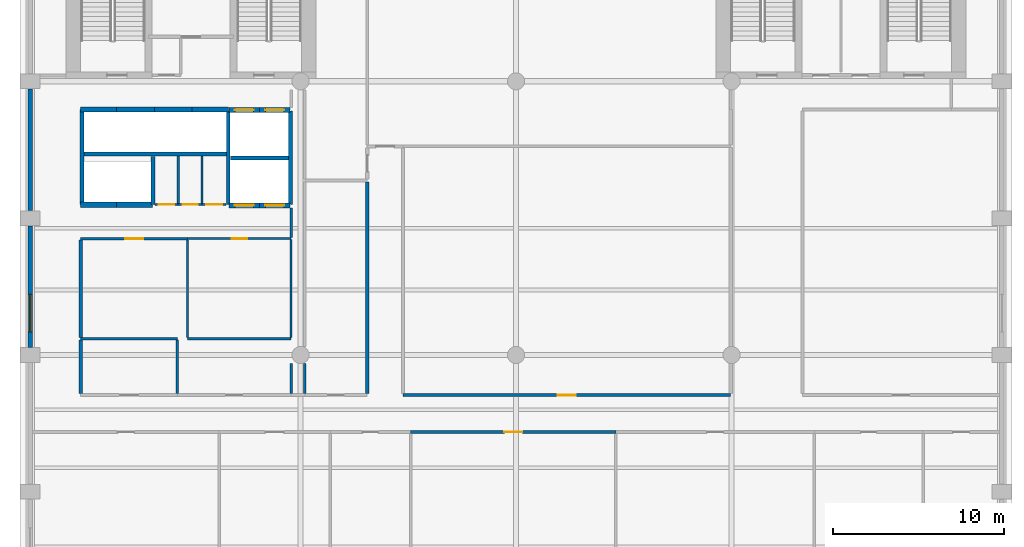
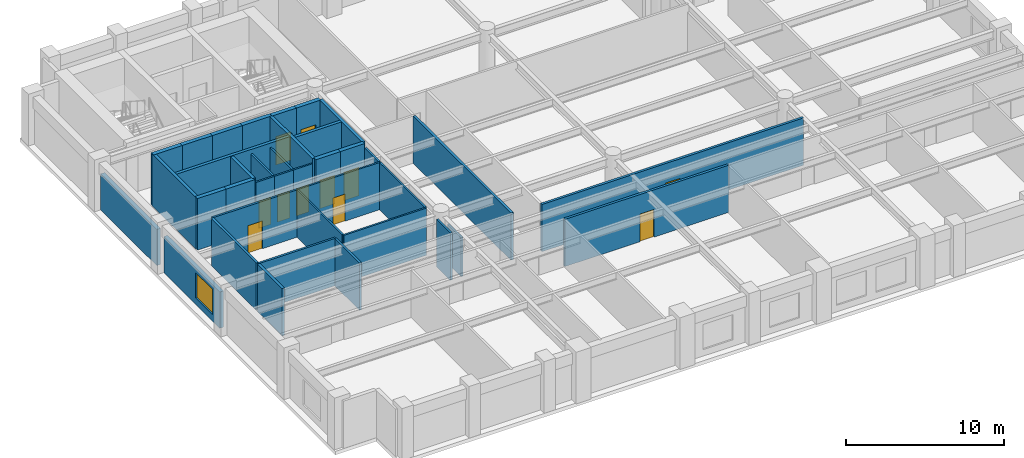
# One storey, part 3 of 8: 38 walls, 11 doors, 1 window, 12 openings.
"""IFC4 building model written with IfcOpenShell, lengths in metres."""

from ifc_helpers import new_model, si_unit, direction, frame, frame_2d, origin, place, context, subcontext, project, spatial, rectangle, extrude, material, layer, layer_set, type_object, element, fill, save


model = new_model("IFC4")

# Units and contexts
model_context = context("Model", 3, precision=1e-05, world=origin(), true_north=direction((0.0, 1.0)))
body_context = subcontext(model_context, "Body", "Model", "MODEL_VIEW")
ifc_project = project(units=[si_unit("LENGTHUNIT", "METRE"), si_unit("AREAUNIT", "SQUARE_METRE"), si_unit("VOLUMEUNIT", "CUBIC_METRE"), si_unit("PLANEANGLEUNIT", "RADIAN"), si_unit("MASSUNIT", "GRAM", prefix="KILO")], contexts=[model_context])

# Site, building, storey
site_placement = place(None, origin())
site = spatial("IfcSite", under=ifc_project, at=site_placement, CompositionType="ELEMENT")
building_placement = place(site_placement, origin())
building = spatial("IfcBuilding", under=site, at=building_placement, Name="Sulina Concourse Tower", CompositionType="ELEMENT")
storey_placement = place(building_placement, frame((0.0, 0.0, 156.60009765625)))
storey = spatial("IfcBuildingStorey", under=building, at=storey_placement, Name="L38", CompositionType="ELEMENT", Elevation=156.60009765625)

# Walls
ifc_material_1 = material(Name="Concrete C50/60", Category="concrete")
ifc_layer_1 = layer(ifc_material_1, 0.219970703125)
ifc_layer_set_1 = layer_set([ifc_layer_1], Name="Concrete C50/60")
wall_type_1 = type_object("IfcWallType", Name="Core Lift Hoistway Divider Wall 220mm", PredefinedType="SOLIDWALL", material=ifc_layer_set_1)
wall_1_placement = place(storey_placement, frame((3.550048828125, 29.75, 0.0), z_axis=(0.0, 0.0, 1.0), x_axis=(1.0, 0.0, 0.0)))
element("IfcWall", 1, at=wall_1_placement, inside=storey, type_object=wall_type_1, Name="L38 shaft divider wall HW-LP3-S", PredefinedType="SOLIDWALL", context=body_context, shape_type="SweptSolid", body=[
    extrude(rectangle(XDim=8.64990234375, YDim=0.219970703125, at=frame_2d((4.324951171875, 0.0))), origin(), (0.0, 0.0, 1.0), 4.0),
])
wall_2_placement = place(storey_placement, frame((3.6298828125, 26.800048828125, 0.0), z_axis=(0.0, 0.0, 1.0), x_axis=(0.0, 1.0, 0.0)))
element("IfcWall", 2, at=wall_2_placement, inside=storey, type_object=wall_type_1, Name="L38 shaft divider wall HW-LP3-W", PredefinedType="SOLIDWALL", context=body_context, shape_type="SweptSolid", body=[
    extrude(rectangle(XDim=5.550048828125, YDim=0.219970703125, at=frame_2d((2.77490234375, 0.0))), origin(), (0.0, 0.0, 1.0), 4.0),
])
wall_3_placement = place(storey_placement, frame((7.780029296875, 26.800048828125, 0.0), z_axis=(0.0, 0.0, 1.0), x_axis=(0.0, 1.0, 0.0)))
element("IfcWall", 3, at=wall_3_placement, inside=storey, type_object=wall_type_1, Name="L38 shaft divider wall HW-EXP-E", PredefinedType="SOLIDWALL", context=body_context, shape_type="SweptSolid", body=[
    extrude(rectangle(XDim=2.800048828125, YDim=0.219970703125, at=frame_2d((1.39990234375, 0.0))), origin(), (0.0, 0.0, 1.0), 4.0),
])
for number, where, z_axis, x_axis, name in (
    (4, (12.179931640625, 26.800048828125, 0.0), (0.0, 0.0, 1.0), (0.0, 1.0, 0.0), "L38 shaft divider wall HW-LP2-W"),
    (5, (15.820068359375, 26.800048828125, 0.0), (0.0, 0.0, 1.0), (0.0, 1.0, 0.0), "L38 shaft divider wall HW-LP2-E"),
):
    element("IfcWall", number, at=place(storey_placement, frame(where, z_axis=z_axis, x_axis=x_axis)), inside=storey, type_object=wall_type_1, Name=name, PredefinedType="SOLIDWALL", context=body_context, shape_type="SweptSolid", body=[
        extrude(rectangle(XDim=5.449951171875, YDim=0.219970703125, at=frame_2d((2.72509765625, 0.0))), origin(), (0.0, 0.0, 1.0), 4.0),
    ])
wall_4_placement = place(storey_placement, frame((12.300048828125, 29.52001953125, 0.0), z_axis=(0.0, 0.0, 1.0), x_axis=(1.0, 0.0, 0.0)))
element("IfcWall", 6, at=wall_4_placement, inside=storey, type_object=wall_type_1, Name="L38 shaft divider wall HW-LP2-M", PredefinedType="SOLIDWALL", context=body_context, shape_type="SweptSolid", body=[
    extrude(rectangle(XDim=3.39990234375, YDim=0.219970703125, at=frame_2d((1.699951171875, 0.0))), origin(), (0.0, 0.0, 1.0), 4.0),
])

# Wall, opening, door
ifc_material_2 = material(Name="Concrete C50/60", Category="concrete")
ifc_layer_2 = layer(ifc_material_2, 0.300048828125)
ifc_layer_set_2 = layer_set([ifc_layer_2], Name="Concrete C50/60")
wall_type_2 = type_object("IfcWallType", Name="Core Lift Hoistway Wall 300mm", PredefinedType="SOLIDWALL", material=ifc_layer_set_2)
wall_5_placement = place(storey_placement, frame((14.0, 26.75, 0.0), z_axis=(0.0, 0.0, 1.0), x_axis=(-1.0, 0.0, 0.0)))
wall_5 = element("IfcWall", 7, at=wall_5_placement, inside=storey, type_object=wall_type_2, Name="L38 hoistway enclosure wall LP-05", PredefinedType="SOLIDWALL", context=body_context, shape_type="SweptSolid", body=[
    extrude(rectangle(XDim=1.780029296875, YDim=0.300048828125, at=frame_2d((0.89013671875, 0.0))), origin(), (0.0, 0.0, 1.0), 4.0),
])
opening_1_placement = place(wall_5_placement, frame((0.340087890625, 0.0, 0.0)))
opening_1 = element("IfcOpeningElement", 8, at=opening_1_placement, cuts=wall_5, Name="Opening LD-01", PredefinedType="OPENING", context=body_context, shape_type="SweptSolid", body=[
    extrude(rectangle(XDim=1.10009765625, YDim=2.199951171875, at=frame_2d((0.550048828125, 1.10009765625))), frame((0.0, 0.159912109375, 0.0), z_axis=(0.0, -1.0, 0.0), x_axis=(1.0, 0.0, 0.0)), (0.0, 0.0, 1.0), 0.320068359375),
])
ifc_material_3 = material(Name="Stainless steel lift landing door", Category="steel")
ifc_layer_3 = layer(ifc_material_3, 0.050048828125)
ifc_layer_set_3 = layer_set([ifc_layer_3], Name="Stainless steel lift landing door")
door_type_1 = type_object("IfcDoorType", Name="Passenger Lift Sliding Landing Door 1100x2200", OperationType="SLIDING_TO_LEFT", PredefinedType="DOOR", material=ifc_layer_set_3)
door_1_placement = place(opening_1_placement, origin())
door_1 = element("IfcDoor", 9, at=door_1_placement, inside=storey, type_object=door_type_1, Name="L38 lift landing sliding door LP-05", OperationType="SLIDING_TO_LEFT", OverallHeight=2.199951171875, OverallWidth=1.10009765625, PredefinedType="DOOR", context=body_context, shape_type="SweptSolid", body=[
    extrude(rectangle(XDim=1.10009765625, YDim=2.199951171875, at=frame_2d((0.550048828125, 1.10009765625))), frame((0.0, 0.02490234375, 0.0), z_axis=(0.0, -1.0, 0.0), x_axis=(1.0, 0.0, 0.0)), (0.0, 0.0, 1.0), 0.050048828125),
])
fill(opening_1, door_1)

wall_6_placement = place(storey_placement, frame((15.780029296875, 26.75, 0.0), z_axis=(0.0, 0.0, 1.0), x_axis=(-1.0, 0.0, 0.0)))
wall_6 = element("IfcWall", 10, at=wall_6_placement, inside=storey, type_object=wall_type_2, Name="L38 hoistway enclosure wall LP-06", PredefinedType="SOLIDWALL", context=body_context, shape_type="SweptSolid", body=[
    extrude(rectangle(XDim=1.780029296875, YDim=0.300048828125, at=frame_2d((0.89013671875, 0.0))), origin(), (0.0, 0.0, 1.0), 4.0),
])
opening_2_placement = place(wall_6_placement, frame((0.340087890625, 0.0, 0.0)))
opening_2 = element("IfcOpeningElement", 11, at=opening_2_placement, cuts=wall_6, Name="Opening LD-01", PredefinedType="OPENING", context=body_context, shape_type="SweptSolid", body=[
    extrude(rectangle(XDim=1.10009765625, YDim=2.199951171875, at=frame_2d((0.550048828125, 1.10009765625))), frame((0.0, 0.159912109375, 0.0), z_axis=(0.0, -1.0, 0.0), x_axis=(1.0, 0.0, 0.0)), (0.0, 0.0, 1.0), 0.320068359375),
])
door_2_placement = place(opening_2_placement, origin())
door_2 = element("IfcDoor", 12, at=door_2_placement, inside=storey, type_object=door_type_1, Name="L38 lift landing sliding door LP-06", OperationType="SLIDING_TO_RIGHT", OverallHeight=2.199951171875, OverallWidth=1.10009765625, PredefinedType="DOOR", context=body_context, shape_type="SweptSolid", body=[
    extrude(rectangle(XDim=1.10009765625, YDim=2.199951171875, at=frame_2d((0.550048828125, 1.10009765625))), frame((0.0, 0.02490234375, 0.0), z_axis=(0.0, -1.0, 0.0), x_axis=(1.0, 0.0, 0.0)), (0.0, 0.0, 1.0), 0.050048828125),
])
fill(opening_2, door_2)

wall_7_placement = place(storey_placement, frame((12.219970703125, 32.320068359375, 0.0), z_axis=(0.0, 0.0, 1.0), x_axis=(1.0, 0.0, 0.0)))
wall_7 = element("IfcWall", 13, at=wall_7_placement, inside=storey, type_object=wall_type_2, Name="L38 hoistway enclosure wall LP-07", PredefinedType="SOLIDWALL", context=body_context, shape_type="SweptSolid", body=[
    extrude(rectangle(XDim=1.780029296875, YDim=0.300048828125, at=frame_2d((0.89013671875, 0.0))), origin(), (0.0, 0.0, 1.0), 4.0),
])
opening_3_placement = place(wall_7_placement, frame((0.340087890625, 0.0, 0.0)))
opening_3 = element("IfcOpeningElement", 14, at=opening_3_placement, cuts=wall_7, Name="Opening LD-01", PredefinedType="OPENING", context=body_context, shape_type="SweptSolid", body=[
    extrude(rectangle(XDim=1.10009765625, YDim=2.199951171875, at=frame_2d((0.550048828125, 1.10009765625))), frame((0.0, 0.159912109375, 0.0), z_axis=(0.0, -1.0, 0.0), x_axis=(1.0, 0.0, 0.0)), (0.0, 0.0, 1.0), 0.320068359375),
])
door_3_placement = place(opening_3_placement, origin())
door_3 = element("IfcDoor", 15, at=door_3_placement, inside=storey, type_object=door_type_1, Name="L38 lift landing sliding door LP-07", OperationType="SLIDING_TO_LEFT", OverallHeight=2.199951171875, OverallWidth=1.10009765625, PredefinedType="DOOR", context=body_context, shape_type="SweptSolid", body=[
    extrude(rectangle(XDim=1.10009765625, YDim=2.199951171875, at=frame_2d((0.550048828125, 1.10009765625))), frame((0.0, 0.02490234375, 0.0), z_axis=(0.0, -1.0, 0.0), x_axis=(1.0, 0.0, 0.0)), (0.0, 0.0, 1.0), 0.050048828125),
])
fill(opening_3, door_3)

wall_8_placement = place(storey_placement, frame((14.0, 32.320068359375, 0.0), z_axis=(0.0, 0.0, 1.0), x_axis=(1.0, 0.0, 0.0)))
wall_8 = element("IfcWall", 16, at=wall_8_placement, inside=storey, type_object=wall_type_2, Name="L38 hoistway enclosure wall LP-08", PredefinedType="SOLIDWALL", context=body_context, shape_type="SweptSolid", body=[
    extrude(rectangle(XDim=1.780029296875, YDim=0.300048828125, at=frame_2d((0.89013671875, 0.0))), origin(), (0.0, 0.0, 1.0), 4.0),
])
opening_4_placement = place(wall_8_placement, frame((0.340087890625, 0.0, 0.0)))
opening_4 = element("IfcOpeningElement", 17, at=opening_4_placement, cuts=wall_8, Name="Opening LD-01", PredefinedType="OPENING", context=body_context, shape_type="SweptSolid", body=[
    extrude(rectangle(XDim=1.10009765625, YDim=2.199951171875, at=frame_2d((0.550048828125, 1.10009765625))), frame((0.0, 0.159912109375, 0.0), z_axis=(0.0, -1.0, 0.0), x_axis=(1.0, 0.0, 0.0)), (0.0, 0.0, 1.0), 0.320068359375),
])
door_4_placement = place(opening_4_placement, origin())
door_4 = element("IfcDoor", 18, at=door_4_placement, inside=storey, type_object=door_type_1, Name="L38 lift landing sliding door LP-08", OperationType="SLIDING_TO_RIGHT", OverallHeight=2.199951171875, OverallWidth=1.10009765625, PredefinedType="DOOR", context=body_context, shape_type="SweptSolid", body=[
    extrude(rectangle(XDim=1.10009765625, YDim=2.199951171875, at=frame_2d((0.550048828125, 1.10009765625))), frame((0.0, 0.02490234375, 0.0), z_axis=(0.0, -1.0, 0.0), x_axis=(1.0, 0.0, 0.0)), (0.0, 0.0, 1.0), 0.050048828125),
])
fill(opening_4, door_4)

# Walls
wall_9_placement = place(storey_placement, frame((3.550048828125, 32.35009765625, 0.0), z_axis=(0.0, 0.0, 1.0), x_axis=(1.0, 0.0, 0.0)))
element("IfcWall", 19, at=wall_9_placement, inside=storey, type_object=wall_type_2, Name="L38 hoistway enclosure wall LP-09", PredefinedType="SOLIDWALL", context=body_context, shape_type="SweptSolid", body=[
    extrude(rectangle(XDim=2.099853515625, YDim=0.300048828125, at=frame_2d((1.0498046875, 0.0))), origin(), (0.0, 0.0, 1.0), 4.0),
])
wall_10_placement = place(storey_placement, frame((5.64990234375, 32.35009765625, 0.0), z_axis=(0.0, 0.0, 1.0), x_axis=(1.0, 0.0, 0.0)))
element("IfcWall", 20, at=wall_10_placement, inside=storey, type_object=wall_type_2, Name="L38 hoistway enclosure wall LP-10", PredefinedType="SOLIDWALL", context=body_context, shape_type="SweptSolid", body=[
    extrude(rectangle(XDim=2.2001953125, YDim=0.300048828125, at=frame_2d((1.10009765625, 0.0))), origin(), (0.0, 0.0, 1.0), 4.0),
])
wall_11_placement = place(storey_placement, frame((7.85009765625, 32.35009765625, 0.0), z_axis=(0.0, 0.0, 1.0), x_axis=(1.0, 0.0, 0.0)))
element("IfcWall", 21, at=wall_11_placement, inside=storey, type_object=wall_type_2, Name="L38 hoistway enclosure wall LP-11", PredefinedType="SOLIDWALL", context=body_context, shape_type="SweptSolid", body=[
    extrude(rectangle(XDim=2.199951171875, YDim=0.300048828125, at=frame_2d((1.10009765625, 0.0))), origin(), (0.0, 0.0, 1.0), 4.0),
])
wall_12_placement = place(storey_placement, frame((10.050048828125, 32.35009765625, 0.0), z_axis=(0.0, 0.0, 1.0), x_axis=(1.0, 0.0, 0.0)))
element("IfcWall", 22, at=wall_12_placement, inside=storey, type_object=wall_type_2, Name="L38 hoistway enclosure wall LP-12", PredefinedType="SOLIDWALL", context=body_context, shape_type="SweptSolid", body=[
    extrude(rectangle(XDim=2.14990234375, YDim=0.300048828125, at=frame_2d((1.074951171875, 0.0))), origin(), (0.0, 0.0, 1.0), 4.0),
])
wall_13_placement = place(storey_placement, frame((5.64990234375, 26.780029296875, 0.0), z_axis=(0.0, 0.0, 1.0), x_axis=(-1.0, 0.0, 0.0)))
element("IfcWall", 23, at=wall_13_placement, inside=storey, type_object=wall_type_2, Name="L38 hoistway enclosure wall EXP-1", PredefinedType="SOLIDWALL", context=body_context, shape_type="SweptSolid", body=[
    extrude(rectangle(XDim=2.099853515625, YDim=0.300048828125, at=frame_2d((1.0498046875, 0.0))), origin(), (0.0, 0.0, 1.0), 4.0),
])
wall_14_placement = place(storey_placement, frame((7.75, 26.780029296875, 0.0), z_axis=(0.0, 0.0, 1.0), x_axis=(-1.0, 0.0, 0.0)))
element("IfcWall", 24, at=wall_14_placement, inside=storey, type_object=wall_type_2, Name="L38 hoistway enclosure wall EXP-2", PredefinedType="SOLIDWALL", context=body_context, shape_type="SweptSolid", body=[
    extrude(rectangle(XDim=2.10009765625, YDim=0.300048828125, at=frame_2d((1.050048828125, 0.0))), origin(), (0.0, 0.0, 1.0), 4.0),
])
ifc_material_4 = material(Name="Gypsum board on steel stud", Category="steel")
ifc_layer_4 = layer(ifc_material_4, 0.14990234375)
ifc_layer_set_4 = layer_set([ifc_layer_4], Name="Gypsum board on steel stud")
wall_type_3 = type_object("IfcWallType", Name="Inter-Tenancy Acoustic Partition 150mm", PredefinedType="PARTITIONING", material=ifc_layer_set_4)
wall_15_placement = place(storey_placement, frame((3.550048828125, 18.949951171875, 0.0), z_axis=(0.0, 0.0, 1.0), x_axis=(1.0, 0.0, 0.0)))
element("IfcWall", 25, at=wall_15_placement, inside=storey, type_object=wall_type_3, Name="L38 interior partition 014", PredefinedType="PARTITIONING", context=body_context, shape_type="SweptSolid", body=[
    extrude(rectangle(XDim=5.64990234375, YDim=0.14990234375, at=frame_2d((2.824951171875, 0.0))), origin(), (0.0, 0.0, 1.0), 3.659912109375),
])

# Wall, opening, door
wall_16_placement = place(storey_placement, frame((3.550048828125, 24.800048828125, 0.0), z_axis=(0.0, 0.0, 1.0), x_axis=(1.0, 0.0, 0.0)))
wall_16 = element("IfcWall", 26, at=wall_16_placement, inside=storey, type_object=wall_type_3, Name="L38 interior partition 016", PredefinedType="PARTITIONING", context=body_context, shape_type="SweptSolid", body=[
    extrude(rectangle(XDim=6.25, YDim=0.14990234375, at=frame_2d((3.125, 0.0))), origin(), (0.0, 0.0, 1.0), 3.659912109375),
])
opening_5_placement = place(wall_16_placement, frame((2.60009765625, 0.0, 0.0)))
opening_5 = element("IfcOpeningElement", 27, at=opening_5_placement, cuts=wall_16, Name="Opening DR-37", PredefinedType="OPENING", context=body_context, shape_type="SweptSolid", body=[
    extrude(rectangle(XDim=1.050048828125, YDim=2.14990234375, at=frame_2d((0.52490234375, 1.074951171875))), frame((0.0, 0.0849609375, 0.0), z_axis=(0.0, -1.0, 0.0), x_axis=(1.0, 0.0, 0.0)), (0.0, 0.0, 1.0), 0.169921875),
])
ifc_material_5 = material(Name="Oak-veneered fire door leaf")
ifc_layer_5 = layer(ifc_material_5, 0.050048828125)
ifc_layer_set_5 = layer_set([ifc_layer_5], Name="Oak-veneered fire door leaf")
door_type_2 = type_object("IfcDoorType", Name="Tenant Suite Entrance Fire Door 1050x2150", OperationType="NOTDEFINED", PredefinedType="DOOR", material=ifc_layer_set_5)
door_5_placement = place(opening_5_placement, origin())
door_5 = element("IfcDoor", 28, at=door_5_placement, inside=storey, type_object=door_type_2, Name="L38 interior door L38-LR-MRG1", OperationType="SINGLE_SWING_RIGHT", OverallHeight=2.14990234375, OverallWidth=1.050048828125, PredefinedType="DOOR", context=body_context, shape_type="SweptSolid", body=[
    extrude(rectangle(XDim=1.050048828125, YDim=2.14990234375, at=frame_2d((0.52490234375, 1.074951171875))), frame((0.0, 0.02490234375, 0.0), z_axis=(0.0, -1.0, 0.0), x_axis=(1.0, 0.0, 0.0)), (0.0, 0.0, 1.0), 0.050048828125),
])
fill(opening_5, door_5)

# Walls
wall_17_placement = place(storey_placement, frame((9.199951171875, 15.739990234375, 0.0), z_axis=(0.0, 0.0, 1.0), x_axis=(0.0, 1.0, 0.0)))
element("IfcWall", 29, at=wall_17_placement, inside=storey, type_object=wall_type_3, Name="L38 interior partition 032", PredefinedType="PARTITIONING", context=body_context, shape_type="SweptSolid", body=[
    extrude(rectangle(XDim=3.135009765625, YDim=0.14990234375, at=frame_2d((1.5673828125, 0.0))), origin(), (0.0, 0.0, 1.0), 3.659912109375),
])
wall_18_placement = place(storey_placement, frame((15.85009765625, 15.739990234375, 0.0), z_axis=(0.0, 0.0, 1.0), x_axis=(0.0, 1.0, 0.0)))
element("IfcWall", 30, at=wall_18_placement, inside=storey, type_object=wall_type_3, Name="L38 interior partition 038", PredefinedType="PARTITIONING", context=body_context, shape_type="SweptSolid", body=[
    extrude(rectangle(XDim=1.760009765625, YDim=0.14990234375, at=frame_2d((0.8798828125, 0.0))), origin(), (0.0, 0.0, 1.0), 3.659912109375),
])
wall_19_placement = place(storey_placement, frame((15.85009765625, 24.862548828125, 0.0), z_axis=(0.0, 0.0, 1.0), x_axis=(0.0, 1.0, 0.0)))
element("IfcWall", 31, at=wall_19_placement, inside=storey, type_object=wall_type_3, Name="L38 interior partition 040", PredefinedType="PARTITIONING", context=body_context, shape_type="SweptSolid", body=[
    extrude(rectangle(XDim=1.737548828125, YDim=0.14990234375, at=frame_2d((0.86865234375, 0.0))), origin(), (0.0, 0.0, 1.0), 3.659912109375),
])
wall_20_placement = place(storey_placement, frame((16.64990234375, 15.739990234375, 0.0), z_axis=(0.0, 0.0, 1.0), x_axis=(0.0, 1.0, 0.0)))
element("IfcWall", 32, at=wall_20_placement, inside=storey, type_object=wall_type_3, Name="L38 interior partition 042", PredefinedType="PARTITIONING", context=body_context, shape_type="SweptSolid", body=[
    extrude(rectangle(XDim=1.760009765625, YDim=0.14990234375, at=frame_2d((0.8798828125, 0.0))), origin(), (0.0, 0.0, 1.0), 3.0048828125),
])

# Wall, opening, door
ifc_material_6 = material(Name="Gypsum board on steel stud", Category="steel")
ifc_layer_6 = layer(ifc_material_6, 0.179931640625)
ifc_layer_set_6 = layer_set([ifc_layer_6], Name="Gypsum board on steel stud")
wall_type_4 = type_object("IfcWallType", Name="Protected Corridor & Riser Partition 180mm", PredefinedType="PARTITIONING", material=ifc_layer_set_6)
wall_21_placement = place(storey_placement, frame((22.840087890625, 13.5, 0.0), z_axis=(0.0, 0.0, 1.0), x_axis=(1.0, 0.0, 0.0)))
wall_21 = element("IfcWall", 33, at=wall_21_placement, inside=storey, type_object=wall_type_4, Name="L38 interior partition 004", PredefinedType="PARTITIONING", context=body_context, shape_type="SweptSolid", body=[
    extrude(rectangle(XDim=12.0, YDim=0.179931640625, at=frame_2d((6.0, 0.0))), origin(), (0.0, 0.0, 1.0), 3.659912109375),
])
opening_6_placement = place(wall_21_placement, frame((5.47509765625, 0.0, 0.0)))
opening_6 = element("IfcOpeningElement", 34, at=opening_6_placement, cuts=wall_21, Name="Opening DR-37", PredefinedType="OPENING", context=body_context, shape_type="SweptSolid", body=[
    extrude(rectangle(XDim=1.050048828125, YDim=2.14990234375, at=frame_2d((0.52490234375, 1.074951171875))), frame((0.0, 0.099853515625, 0.0), z_axis=(0.0, -1.0, 0.0), x_axis=(1.0, 0.0, 0.0)), (0.0, 0.0, 1.0), 0.199951171875),
])
door_6_placement = place(opening_6_placement, origin())
door_6 = element("IfcDoor", 35, at=door_6_placement, inside=storey, type_object=door_type_2, Name="L38 interior door L38-S03", OperationType="SINGLE_SWING_LEFT", OverallHeight=2.14990234375, OverallWidth=1.050048828125, PredefinedType="DOOR", context=body_context, shape_type="SweptSolid", body=[
    extrude(rectangle(XDim=1.050048828125, YDim=2.14990234375, at=frame_2d((0.52490234375, 1.074951171875))), frame((0.0, 0.02490234375, 0.0), z_axis=(0.0, -1.0, 0.0), x_axis=(1.0, 0.0, 0.0)), (0.0, 0.0, 1.0), 0.050048828125),
])
fill(opening_6, door_6)

wall_22_placement = place(storey_placement, frame((22.39990234375, 15.64990234375, 0.0), z_axis=(0.0, 0.0, 1.0), x_axis=(1.0, 0.0, 0.0)))
wall_22 = element("IfcWall", 36, at=wall_22_placement, inside=storey, type_object=wall_type_4, Name="L38 interior partition 012", PredefinedType="PARTITIONING", context=body_context, shape_type="SweptSolid", body=[
    extrude(rectangle(XDim=19.150146484375, YDim=0.179931640625, at=frame_2d((9.5751953125, 0.0))), origin(), (0.0, 0.0, 1.0), 3.659912109375),
])
opening_7_placement = place(wall_22_placement, frame((9.050048828125, 0.0, 0.0)))
opening_7 = element("IfcOpeningElement", 37, at=opening_7_placement, cuts=wall_22, Name="Opening DR-37", PredefinedType="OPENING", context=body_context, shape_type="SweptSolid", body=[
    extrude(rectangle(XDim=1.050048828125, YDim=2.14990234375, at=frame_2d((0.52490234375, 1.074951171875))), frame((0.0, 0.099853515625, 0.0), z_axis=(0.0, -1.0, 0.0), x_axis=(1.0, 0.0, 0.0)), (0.0, 0.0, 1.0), 0.199951171875),
])
door_7_placement = place(opening_7_placement, origin())
door_7 = element("IfcDoor", 38, at=door_7_placement, inside=storey, type_object=door_type_2, Name="L38 interior door L38-NC3", OperationType="SINGLE_SWING_RIGHT", OverallHeight=2.14990234375, OverallWidth=1.050048828125, PredefinedType="DOOR", context=body_context, shape_type="SweptSolid", body=[
    extrude(rectangle(XDim=1.050048828125, YDim=2.14990234375, at=frame_2d((0.52490234375, 1.074951171875))), frame((0.0, 0.02490234375, 0.0), z_axis=(0.0, -1.0, 0.0), x_axis=(1.0, 0.0, 0.0)), (0.0, 0.0, 1.0), 0.050048828125),
])
fill(opening_7, door_7)

# Walls
wall_23_placement = place(storey_placement, frame((3.550048828125, 15.739990234375, 0.0), z_axis=(0.0, 0.0, 1.0), x_axis=(0.0, 1.0, 0.0)))
element("IfcWall", 39, at=wall_23_placement, inside=storey, type_object=wall_type_4, Name="L38 interior partition 030", PredefinedType="PARTITIONING", context=body_context, shape_type="SweptSolid", body=[
    extrude(rectangle(XDim=3.135009765625, YDim=0.179931640625, at=frame_2d((1.5673828125, 0.0))), origin(), (0.0, 0.0, 1.0), 3.659912109375),
])
wall_24_placement = place(storey_placement, frame((3.550048828125, 19.02490234375, 0.0), z_axis=(0.0, 0.0, 1.0), x_axis=(0.0, 1.0, 0.0)))
element("IfcWall", 40, at=wall_24_placement, inside=storey, type_object=wall_type_4, Name="L38 interior partition 031", PredefinedType="PARTITIONING", context=body_context, shape_type="SweptSolid", body=[
    extrude(rectangle(XDim=5.7001953125, YDim=0.179931640625, at=frame_2d((2.85009765625, 0.0))), origin(), (0.0, 0.0, 1.0), 3.659912109375),
])
wall_25_placement = place(storey_placement, frame((20.300048828125, 15.739990234375, 0.0), z_axis=(0.0, 0.0, 1.0), x_axis=(0.0, 1.0, 0.0)))
element("IfcWall", 41, at=wall_25_placement, inside=storey, type_object=wall_type_4, Name="L38 interior partition 046", PredefinedType="PARTITIONING", context=body_context, shape_type="SweptSolid", body=[
    extrude(rectangle(XDim=12.385009765625, YDim=0.179931640625, at=frame_2d((6.1923828125, 0.0))), origin(), (0.0, 0.0, 1.0), 3.659912109375),
])

# Wall, opening, window
ifc_material_7 = material(Name="Precast concrete C50/60", Category="concrete")
ifc_layer_7 = layer(ifc_material_7, 0.280029296875)
ifc_layer_set_7 = layer_set([ifc_layer_7], Name="Precast concrete C50/60")
wall_type_5 = type_object("IfcWallType", Name="Typical Precast Masonry-Frame Facade Wall 280mm", PredefinedType="SOLIDWALL", material=ifc_layer_set_7)
wall_26_placement = place(storey_placement, frame((0.60009765625, 18.445068359375, 0.0), z_axis=(0.0, 0.0, 1.0), x_axis=(0.0, 1.0, 0.0)))
wall_26 = element("IfcWall", 42, at=wall_26_placement, inside=storey, type_object=wall_type_5, Name="L38 exterior precast wall W3", PredefinedType="SOLIDWALL", context=body_context, shape_type="SweptSolid", body=[
    extrude(rectangle(XDim=7.10986328125, YDim=0.280029296875, at=frame_2d((3.554931640625, 0.0))), origin(), (0.0, 0.0, 1.0), 2.809814453125),
])
opening_8_placement = place(wall_26_placement, frame((0.9033203125, 0.0, 0.5)))
opening_8 = element("IfcOpeningElement", 43, at=opening_8_placement, cuts=wall_26, Name="Opening WN-76", PredefinedType="OPENING", context=body_context, shape_type="SweptSolid", body=[
    extrude(rectangle(XDim=2.199951171875, YDim=1.949951171875, at=frame_2d((1.10009765625, 0.97509765625))), frame((0.0, 0.14990234375, 0.0), z_axis=(0.0, -1.0, 0.0), x_axis=(1.0, 0.0, 0.0)), (0.0, 0.0, 1.0), 0.300048828125),
])
ifc_material_8 = material(Name="Low-E solar double glazing in bronze aluminium", Category="aluminium")
window_type = type_object("IfcWindowType", Name="Recessed Spandrel Window 2200x1950", PartitioningType="DOUBLE_PANEL_VERTICAL", PredefinedType="WINDOW", material=ifc_material_8)
window_placement = place(opening_8_placement, origin())
window = element("IfcWindow", 44, at=window_placement, inside=storey, type_object=window_type, Name="L38 punched window W3-1", OverallHeight=1.949951171875, OverallWidth=2.199951171875, PartitioningType="SINGLE_PANEL", PredefinedType="WINDOW", context=body_context, shape_type="SweptSolid", body=[
    extrude(rectangle(XDim=2.199951171875, YDim=1.949951171875, at=frame_2d((1.10009765625, 0.97509765625))), frame((0.0, 0.030029296875, 0.0), z_axis=(0.0, -1.0, 0.0), x_axis=(1.0, 0.0, 0.0)), (0.0, 0.0, 1.0), 0.06005859375),
])
fill(opening_8, window)

# Walls
wall_27_placement = place(storey_placement, frame((0.60009765625, 26.445068359375, 0.0), z_axis=(0.0, 0.0, 1.0), x_axis=(0.0, 1.0, 0.0)))
element("IfcWall", 45, at=wall_27_placement, inside=storey, type_object=wall_type_5, Name="L38 exterior precast wall W4", PredefinedType="SOLIDWALL", context=body_context, shape_type="SweptSolid", body=[
    extrude(rectangle(XDim=7.10986328125, YDim=0.280029296875, at=frame_2d((3.554931640625, 0.0))), origin(), (0.0, 0.0, 1.0), 2.809814453125),
])
ifc_material_9 = material(Name="Gypsum board on steel stud", Category="steel")
ifc_layer_8 = layer(ifc_material_9, 0.125)
ifc_layer_set_8 = layer_set([ifc_layer_8], Name="Gypsum board on steel stud")
wall_type_6 = type_object("IfcWallType", Name="Wet-Area Moisture-Resistant Partition 125mm", PredefinedType="PARTITIONING", material=ifc_layer_set_8)
wall_28_placement = place(storey_placement, frame((9.800048828125, 18.949951171875, 0.0), z_axis=(0.0, 0.0, 1.0), x_axis=(1.0, 0.0, 0.0)))
element("IfcWall", 46, at=wall_28_placement, inside=storey, type_object=wall_type_6, Name="L38 interior partition 015", PredefinedType="PARTITIONING", context=body_context, shape_type="SweptSolid", body=[
    extrude(rectangle(XDim=6.050048828125, YDim=0.125, at=frame_2d((3.02490234375, 0.0))), origin(), (0.0, 0.0, 1.0), 3.659912109375),
])

# Wall, opening, door
wall_29_placement = place(storey_placement, frame((9.800048828125, 24.800048828125, 0.0), z_axis=(0.0, 0.0, 1.0), x_axis=(1.0, 0.0, 0.0)))
wall_29 = element("IfcWall", 47, at=wall_29_placement, inside=storey, type_object=wall_type_6, Name="L38 interior partition 017", PredefinedType="PARTITIONING", context=body_context, shape_type="SweptSolid", body=[
    extrude(rectangle(XDim=6.050048828125, YDim=0.125, at=frame_2d((3.02490234375, 0.0))), origin(), (0.0, 0.0, 1.0), 3.659912109375),
])
opening_9_placement = place(wall_29_placement, frame((2.574951171875, 0.0, 0.0)))
opening_9 = element("IfcOpeningElement", 48, at=opening_9_placement, cuts=wall_29, Name="Opening DR-21", PredefinedType="OPENING", context=body_context, shape_type="SweptSolid", body=[
    extrude(rectangle(XDim=0.89990234375, YDim=2.10009765625, at=frame_2d((0.449951171875, 1.050048828125))), frame((0.0, 0.072509765625, 0.0), z_axis=(0.0, -1.0, 0.0), x_axis=(1.0, 0.0, 0.0)), (0.0, 0.0, 1.0), 0.14501953125),
])
ifc_material_10 = material(Name="Oak-veneered fire door leaf")
ifc_layer_9 = layer(ifc_material_10, 0.050048828125)
ifc_layer_set_9 = layer_set([ifc_layer_9], Name="Oak-veneered fire door leaf")
door_type_3 = type_object("IfcDoorType", Name="Restroom & Service Door 900x2100", OperationType="NOTDEFINED", PredefinedType="DOOR", material=ifc_layer_set_9)
door_8_placement = place(opening_9_placement, origin())
door_8 = element("IfcDoor", 49, at=door_8_placement, inside=storey, type_object=door_type_3, Name="L38 interior door L38-LR-MRG2", OperationType="SINGLE_SWING_LEFT", OverallHeight=2.10009765625, OverallWidth=0.89990234375, PredefinedType="DOOR", context=body_context, shape_type="SweptSolid", body=[
    extrude(rectangle(XDim=0.89990234375, YDim=2.10009765625, at=frame_2d((0.449951171875, 1.050048828125))), frame((0.0, 0.02490234375, 0.0), z_axis=(0.0, -1.0, 0.0), x_axis=(1.0, 0.0, 0.0)), (0.0, 0.0, 1.0), 0.050048828125),
])
fill(opening_9, door_8)

wall_30_placement = place(storey_placement, frame((7.889892578125, 26.800048828125, 0.0), z_axis=(0.0, 0.0, 1.0), x_axis=(1.0, 0.0, 0.0)))
wall_30 = element("IfcWall", 50, at=wall_30_placement, inside=storey, type_object=wall_type_6, Name="L38 interior partition 018", PredefinedType="PARTITIONING", context=body_context, shape_type="SweptSolid", body=[
    extrude(rectangle(XDim=1.360107421875, YDim=0.125, at=frame_2d((0.68017578125, 0.0))), origin(), (0.0, 0.0, 1.0), 3.659912109375),
])
opening_10_placement = place(wall_30_placement, frame((0.22998046875, 0.0, 0.0)))
opening_10 = element("IfcOpeningElement", 51, at=opening_10_placement, cuts=wall_30, Name="Opening DR-21", PredefinedType="OPENING", context=body_context, shape_type="SweptSolid", body=[
    extrude(rectangle(XDim=0.89990234375, YDim=2.10009765625, at=frame_2d((0.449951171875, 1.050048828125))), frame((0.0, 0.072509765625, 0.0), z_axis=(0.0, -1.0, 0.0), x_axis=(1.0, 0.0, 0.0)), (0.0, 0.0, 1.0), 0.14501953125),
])
door_9_placement = place(opening_10_placement, origin())
door_9 = element("IfcDoor", 52, at=door_9_placement, inside=storey, type_object=door_type_3, Name="L38 interior door L38-WC-M", OperationType="SINGLE_SWING_RIGHT", OverallHeight=2.10009765625, OverallWidth=0.89990234375, PredefinedType="DOOR", context=body_context, shape_type="SweptSolid", body=[
    extrude(rectangle(XDim=0.89990234375, YDim=2.10009765625, at=frame_2d((0.449951171875, 1.050048828125))), frame((0.0, 0.02490234375, 0.0), z_axis=(0.0, -1.0, 0.0), x_axis=(1.0, 0.0, 0.0)), (0.0, 0.0, 1.0), 0.050048828125),
])
fill(opening_10, door_9)

wall_31_placement = place(storey_placement, frame((9.25, 26.800048828125, 0.0), z_axis=(0.0, 0.0, 1.0), x_axis=(1.0, 0.0, 0.0)))
wall_31 = element("IfcWall", 53, at=wall_31_placement, inside=storey, type_object=wall_type_6, Name="L38 interior partition 019", PredefinedType="PARTITIONING", context=body_context, shape_type="SweptSolid", body=[
    extrude(rectangle(XDim=1.39990234375, YDim=0.125, at=frame_2d((0.699951171875, 0.0))), origin(), (0.0, 0.0, 1.0), 3.659912109375),
])
opening_11_placement = place(wall_31_placement, frame((0.25, 0.0, 0.0)))
opening_11 = element("IfcOpeningElement", 54, at=opening_11_placement, cuts=wall_31, Name="Opening DR-21", PredefinedType="OPENING", context=body_context, shape_type="SweptSolid", body=[
    extrude(rectangle(XDim=0.89990234375, YDim=2.10009765625, at=frame_2d((0.449951171875, 1.050048828125))), frame((0.0, 0.072509765625, 0.0), z_axis=(0.0, -1.0, 0.0), x_axis=(1.0, 0.0, 0.0)), (0.0, 0.0, 1.0), 0.14501953125),
])
door_10_placement = place(opening_11_placement, origin())
door_10 = element("IfcDoor", 55, at=door_10_placement, inside=storey, type_object=door_type_3, Name="L38 interior door L38-WC-F", OperationType="SINGLE_SWING_LEFT", OverallHeight=2.10009765625, OverallWidth=0.89990234375, PredefinedType="DOOR", context=body_context, shape_type="SweptSolid", body=[
    extrude(rectangle(XDim=0.89990234375, YDim=2.10009765625, at=frame_2d((0.449951171875, 1.050048828125))), frame((0.0, 0.02490234375, 0.0), z_axis=(0.0, -1.0, 0.0), x_axis=(1.0, 0.0, 0.0)), (0.0, 0.0, 1.0), 0.050048828125),
])
fill(opening_11, door_10)

wall_32_placement = place(storey_placement, frame((10.64990234375, 26.800048828125, 0.0), z_axis=(0.0, 0.0, 1.0), x_axis=(1.0, 0.0, 0.0)))
wall_32 = element("IfcWall", 56, at=wall_32_placement, inside=storey, type_object=wall_type_6, Name="L38 interior partition 020", PredefinedType="PARTITIONING", context=body_context, shape_type="SweptSolid", body=[
    extrude(rectangle(XDim=1.400146484375, YDim=0.125, at=frame_2d((0.7001953125, 0.0))), origin(), (0.0, 0.0, 1.0), 3.659912109375),
])
opening_12_placement = place(wall_32_placement, frame((0.239990234375, 0.0, 0.0)))
opening_12 = element("IfcOpeningElement", 57, at=opening_12_placement, cuts=wall_32, Name="Opening DR-61", PredefinedType="OPENING", context=body_context, shape_type="SweptSolid", body=[
    extrude(rectangle(XDim=0.919921875, YDim=2.10009765625, at=frame_2d((0.4599609375, 1.050048828125))), frame((0.0, 0.072509765625, 0.0), z_axis=(0.0, -1.0, 0.0), x_axis=(1.0, 0.0, 0.0)), (0.0, 0.0, 1.0), 0.14501953125),
])
ifc_material_11 = material(Name="Oak-veneered fire door leaf")
ifc_layer_10 = layer(ifc_material_11, 0.050048828125)
ifc_layer_set_10 = layer_set([ifc_layer_10], Name="Oak-veneered fire door leaf")
door_type_4 = type_object("IfcDoorType", Name="Accessible WC Door 920x2100", OperationType="NOTDEFINED", PredefinedType="DOOR", material=ifc_layer_set_10)
door_11_placement = place(opening_12_placement, origin())
door_11 = element("IfcDoor", 58, at=door_11_placement, inside=storey, type_object=door_type_4, Name="L38 interior door L38-WC-ACC", OperationType="SINGLE_SWING_RIGHT", OverallHeight=2.10009765625, OverallWidth=0.919921875, PredefinedType="DOOR", context=body_context, shape_type="SweptSolid", body=[
    extrude(rectangle(XDim=0.919921875, YDim=2.10009765625, at=frame_2d((0.4599609375, 1.050048828125))), frame((0.0, 0.02490234375, 0.0), z_axis=(0.0, -1.0, 0.0), x_axis=(1.0, 0.0, 0.0)), (0.0, 0.0, 1.0), 0.050048828125),
])
fill(opening_12, door_11)

# Walls
wall_33_placement = place(storey_placement, frame((9.25, 26.862548828125, 0.0), z_axis=(0.0, 0.0, 1.0), x_axis=(0.0, 1.0, 0.0)))
element("IfcWall", 59, at=wall_33_placement, inside=storey, type_object=wall_type_6, Name="L38 interior partition 033", PredefinedType="PARTITIONING", context=body_context, shape_type="SweptSolid", body=[
    extrude(rectangle(XDim=2.77734375, YDim=0.125, at=frame_2d((1.388671875, 0.0))), origin(), (0.0, 0.0, 1.0), 3.659912109375),
])
wall_34_placement = place(storey_placement, frame((9.800048828125, 19.012451171875, 0.0), z_axis=(0.0, 0.0, 1.0), x_axis=(0.0, 1.0, 0.0)))
element("IfcWall", 60, at=wall_34_placement, inside=storey, type_object=wall_type_6, Name="L38 interior partition 035", PredefinedType="PARTITIONING", context=body_context, shape_type="SweptSolid", body=[
    extrude(rectangle(XDim=5.712646484375, YDim=0.125, at=frame_2d((2.8564453125, 0.0))), origin(), (0.0, 0.0, 1.0), 3.659912109375),
])
wall_35_placement = place(storey_placement, frame((10.64990234375, 26.862548828125, 0.0), z_axis=(0.0, 0.0, 1.0), x_axis=(0.0, 1.0, 0.0)))
element("IfcWall", 61, at=wall_35_placement, inside=storey, type_object=wall_type_6, Name="L38 interior partition 036", PredefinedType="PARTITIONING", context=body_context, shape_type="SweptSolid", body=[
    extrude(rectangle(XDim=2.77734375, YDim=0.125, at=frame_2d((1.388671875, 0.0))), origin(), (0.0, 0.0, 1.0), 3.659912109375),
])
wall_36_placement = place(storey_placement, frame((15.85009765625, 19.012451171875, 0.0), z_axis=(0.0, 0.0, 1.0), x_axis=(0.0, 1.0, 0.0)))
element("IfcWall", 62, at=wall_36_placement, inside=storey, type_object=wall_type_6, Name="L38 interior partition 039", PredefinedType="PARTITIONING", context=body_context, shape_type="SweptSolid", body=[
    extrude(rectangle(XDim=5.72509765625, YDim=0.125, at=frame_2d((2.862548828125, 0.0))), origin(), (0.0, 0.0, 1.0), 3.659912109375),
])

save(model, "model.ifc")
